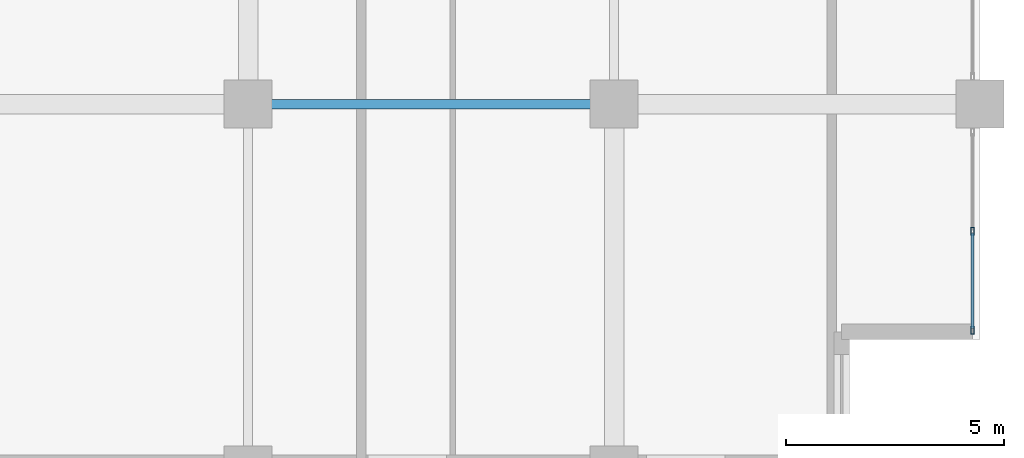
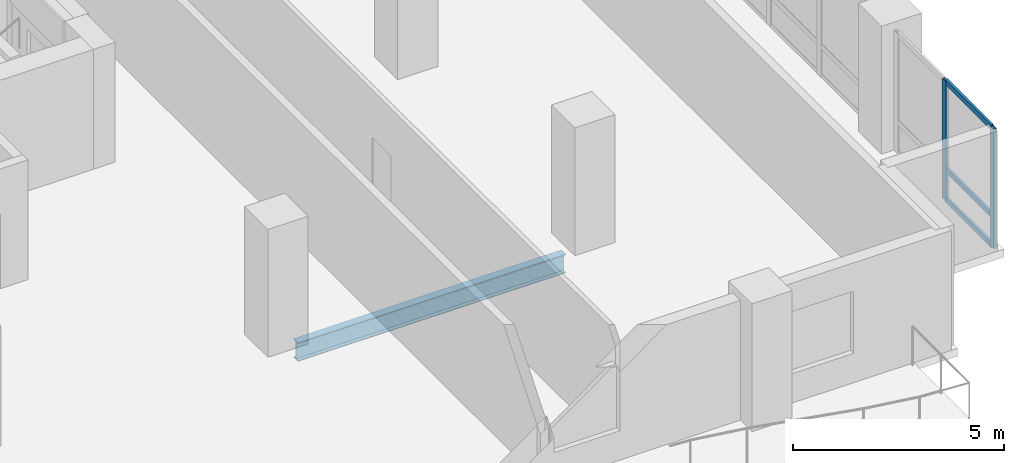
# One storey, part 3 of 20: 5 members, 1 beam, 1 element without a shape of its own.
"""IFC4 building model written with IfcOpenShell, lengths in metres."""

from ifc_helpers import new_model, si_unit, direction, frame, origin, origin_2d, place, context, subcontext, project, spatial, hollow_rectangle, i_section, extrude, material, layer, layer_set, material_profile, profile_set, type_object, element, aggregate, save


model = new_model("IFC4")

# Units and contexts
model_context = context("Model", 3, precision=1e-05, world=origin(), true_north=direction((0.0, 1.0)))
body_context = subcontext(model_context, "Body", "Model", "MODEL_VIEW")
ifc_project = project(units=[si_unit("LENGTHUNIT", "METRE"), si_unit("AREAUNIT", "SQUARE_METRE"), si_unit("VOLUMEUNIT", "CUBIC_METRE"), si_unit("PLANEANGLEUNIT", "RADIAN"), si_unit("MASSUNIT", "GRAM", prefix="KILO")], contexts=[model_context])

# Site, building, storey
site_placement = place(None, origin())
site = spatial("IfcSite", under=ifc_project, at=site_placement, CompositionType="ELEMENT")
building_placement = place(site_placement, origin())
building = spatial("IfcBuilding", under=site, at=building_placement, Name="Koriwani Terraces Tower", CompositionType="ELEMENT")
storey_placement = place(building_placement, frame((0.0, 0.0, 212.39990234375)))
storey = spatial("IfcBuildingStorey", under=building, at=storey_placement, Name="L52", CompositionType="ELEMENT", Elevation=212.39990234375)

# Curtain wall, members
ifc_material_1 = material(Name="Anodised Bronze Aluminium", Category="aluminium")
ifc_layer = layer(ifc_material_1, 0.169921875, Name="Anodised Bronze Aluminium")
ifc_layer_set = layer_set([ifc_layer], Name="Anodised Bronze Aluminium")
curtain_wall_type = type_object("IfcCurtainWallType", Name="CW_RES_ZONE3", PredefinedType="NOTDEFINED", material=ifc_layer_set)
curtain_wall_placement = place(storey_placement, origin())
curtain_wall = element("IfcCurtainWall", 1, at=curtain_wall_placement, inside=storey, type_object=curtain_wall_type, Name="L52 Unitised Curtain Wall (E_TIP) Bay 4", PredefinedType="NOTDEFINED")
ifc_material_profile_1 = material_profile(ifc_material_1, hollow_rectangle(XDim=0.074951171875, YDim=0.179931640625, WallThickness=0.006103515625, at=origin_2d()), Name="Anodised Bronze Aluminium", Category="LoadBearing")
ifc_profile_set_1 = profile_set([ifc_material_profile_1], Name="Anodised Bronze Aluminium")
member_type_1 = type_object("IfcMemberType", Name="CW_MULLION_180X75", PredefinedType="MULLION", material=ifc_profile_set_1)
member_1_placement = place(storey_placement, frame((75.425048828125, 5.482421875, 0.0), z_axis=(0.0, 0.0, 1.0), x_axis=(1.0, 0.0, 0.0)))
member_1 = element("IfcMember", 2, at=member_1_placement, type_object=member_type_1, Name="CW-Z3 mullion 2", PredefinedType="MULLION", context=body_context, shape_type="SweptSolid", body=[
    extrude(hollow_rectangle(XDim=0.074951171875, YDim=0.179931640625, WallThickness=0.006103515625, at=origin_2d()), origin(), (0.0, 0.0, 1.0), 3.47021484375),
])
member_2_placement = place(storey_placement, frame((75.425048828125, 3.21240234375, 0.0), z_axis=(0.0, 0.0, 1.0), x_axis=(1.0, 0.0, 0.0)))
member_2 = element("IfcMember", 3, at=member_2_placement, type_object=member_type_1, Name="CW-Z3 mullion 3", PredefinedType="MULLION", context=body_context, shape_type="SweptSolid", body=[
    extrude(hollow_rectangle(XDim=0.074951171875, YDim=0.179931640625, WallThickness=0.006103515625, at=origin_2d()), origin(), (0.0, 0.0, 1.0), 3.47021484375),
])
ifc_material_profile_2 = material_profile(ifc_material_1, hollow_rectangle(XDim=0.06494140625, YDim=0.14990234375, WallThickness=0.0048828125, at=origin_2d()), Name="Anodised Bronze Aluminium", Category="LoadBearing")
ifc_profile_set_2 = profile_set([ifc_material_profile_2], Name="Anodised Bronze Aluminium")
member_type_2 = type_object("IfcMemberType", Name="CW_TRANSOM_150X65", PredefinedType="USERDEFINED", material=ifc_profile_set_2)
member_3_placement = place(storey_placement, frame((75.425048828125, 5.445068359375, 0.03271484375), z_axis=(0.0, -1.0, 0.0), x_axis=(1.0, 0.0, 0.0)))
member_3 = element("IfcMember", 4, at=member_3_placement, type_object=member_type_2, Name="CW-Z3 transom 2.1", ObjectType="TRANSOM", PredefinedType="USERDEFINED", context=body_context, shape_type="SweptSolid", body=[
    extrude(hollow_rectangle(XDim=0.06494140625, YDim=0.14990234375, WallThickness=0.0048828125, at=origin_2d()), origin(), (0.0, 0.0, 1.0), 2.195068359375),
])
member_4_placement = place(storey_placement, frame((75.425048828125, 5.445068359375, 0.900146484375), z_axis=(0.0, -1.0, 0.0), x_axis=(1.0, 0.0, 0.0)))
member_4 = element("IfcMember", 5, at=member_4_placement, type_object=member_type_2, Name="CW-Z3 transom 2.2", ObjectType="TRANSOM", PredefinedType="USERDEFINED", context=body_context, shape_type="SweptSolid", body=[
    extrude(hollow_rectangle(XDim=0.06494140625, YDim=0.14990234375, WallThickness=0.0048828125, at=origin_2d()), origin(), (0.0, 0.0, 1.0), 2.195068359375),
])
member_5_placement = place(storey_placement, frame((75.425048828125, 5.445068359375, 3.4375), z_axis=(0.0, -1.0, 0.0), x_axis=(1.0, 0.0, 0.0)))
member_5 = element("IfcMember", 6, at=member_5_placement, type_object=member_type_2, Name="CW-Z3 transom 2.3", ObjectType="TRANSOM", PredefinedType="USERDEFINED", context=body_context, shape_type="SweptSolid", body=[
    extrude(hollow_rectangle(XDim=0.06494140625, YDim=0.14990234375, WallThickness=0.0048828125, at=origin_2d()), origin(), (0.0, 0.0, 1.0), 2.195068359375),
])
aggregate(curtain_wall, [member_1, member_2, member_3, member_4, member_5])

# Beam
ifc_material_2 = material(Name="Steel ASTM A572 Grade 50", Category="steel")
ifc_material_profile_3 = material_profile(ifc_material_2, i_section(OverallWidth=0.2119140625, OverallDepth=0.54296875, WebThickness=0.0126953125, FlangeThickness=0.021240234375, at=origin_2d()), Name="Steel ASTM A572 Grade 50", Category="LoadBearing")
ifc_profile_set_3 = profile_set([ifc_material_profile_3], Name="Steel ASTM A572 Grade 50")
beam_type = type_object("IfcBeamType", Name="STEEL_BEAM_W530X150", PredefinedType="BEAM", material=ifc_profile_set_3)
beam_placement = place(storey_placement, frame((59.330078125, 8.39990234375, -0.50146484375), z_axis=(1.0, 0.0, 0.0), x_axis=(0.0, 1.0, 0.0)))
element("IfcBeam", 7, at=beam_placement, inside=storey, type_object=beam_type, Name="L52 Grid Beam B (58.8-67.2m)", PredefinedType="BEAM", context=body_context, shape_type="SweptSolid", body=[
    extrude(i_section(OverallWidth=0.2119140625, OverallDepth=0.54296875, WebThickness=0.0126953125, FlangeThickness=0.021240234375, at=origin_2d()), origin(), (0.0, 0.0, 1.0), 7.33984375),
])

save(model, "model.ifc")
